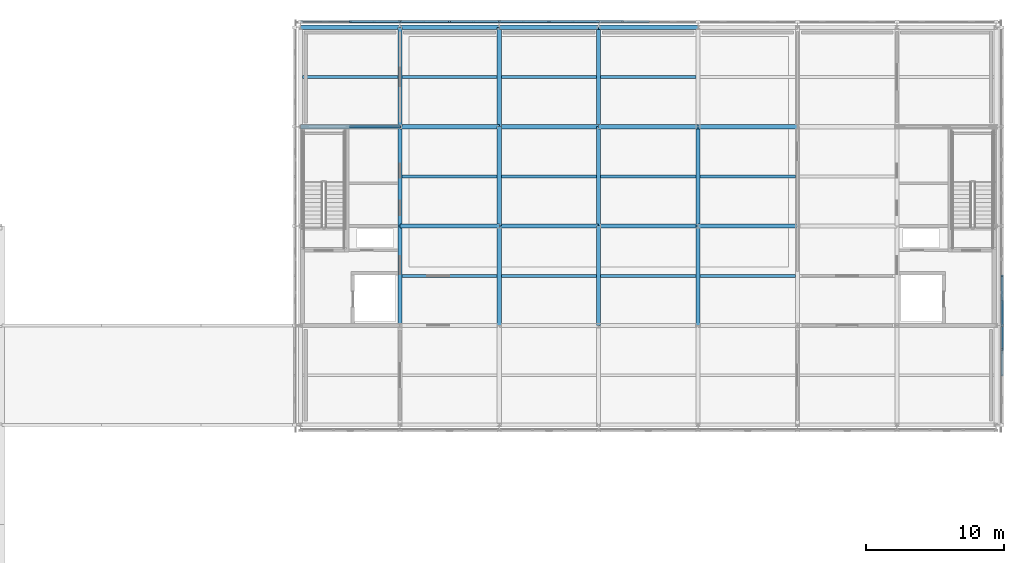
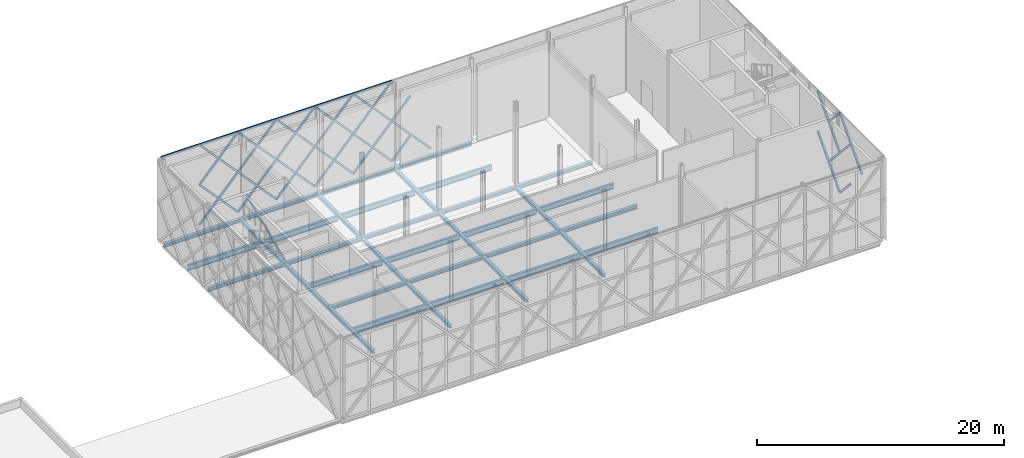
# One storey, part 46 of 76: 44 members, 36 beams.
"""IFC4 building model written with IfcOpenShell, lengths in metres."""

from ifc_helpers import new_model, si_unit, direction, frame, origin, origin_2d, place, context, subcontext, project, spatial, hollow_rectangle, i_section, extrude, material, material_profile, profile_set, type_object, element, save


model = new_model("IFC4")

# Units and contexts
model_context = context("Model", 3, precision=1e-05, world=origin(), true_north=direction((0.0, 1.0)))
body_context = subcontext(model_context, "Body", "Model", "MODEL_VIEW")
ifc_project = project(units=[si_unit("LENGTHUNIT", "METRE"), si_unit("AREAUNIT", "SQUARE_METRE"), si_unit("VOLUMEUNIT", "CUBIC_METRE"), si_unit("PLANEANGLEUNIT", "RADIAN"), si_unit("MASSUNIT", "GRAM", prefix="KILO")], contexts=[model_context])

# Site, building, storey
site_placement = place(None, origin())
site = spatial("IfcSite", under=ifc_project, at=site_placement, CompositionType="ELEMENT")
building_placement = place(site_placement, origin())
building = spatial("IfcBuilding", under=site, at=building_placement, Name="Zlatovets Crest Museum", CompositionType="ELEMENT")
storey_placement = place(building_placement, frame((0.0, 0.0, 17.10009765625)))
storey = spatial("IfcBuildingStorey", under=building, at=storey_placement, Name="L04", CompositionType="ELEMENT", Elevation=17.10009765625)

# Beams
ifc_material_1 = material(Name="Structural steel S355J2", Category="steel")
ifc_material_profile_1 = material_profile(ifc_material_1, i_section(OverallWidth=0.300048828125, OverallDepth=0.35009765625, WebThickness=0.010009765625, FlangeThickness=0.017578125, FilletRadius=0.027099609375, at=origin_2d()), Name="HEA 360")
ifc_profile_set_1 = profile_set([ifc_material_profile_1], Name="Structural steel S355J2")
beam_type_1 = type_object("IfcBeamType", Name="Beam_B-03", PredefinedType="BEAM", material=ifc_profile_set_1)
for number, where, z_axis, x_axis, name in (
    (1, (64.800048828125, 100.800048828125, -0.4150390625), (1.0, 0.0, 0.0), (0.0, 1.0, 0.0), "V1 L04 Primary Girder B-03"),
    (2, (72.0, 100.800048828125, -0.4150390625), (1.0, 0.0, 0.0), (0.0, 1.0, 0.0), "V1 L04 Primary Girder B-03"),
    (3, (79.199951171875, 100.800048828125, -0.4150390625), (1.0, 0.0, 0.0), (0.0, 1.0, 0.0), "V1 L04 Primary Girder B-03"),
):
    element("IfcBeam", number, at=place(storey_placement, frame(where, z_axis=z_axis, x_axis=x_axis)), inside=storey, type_object=beam_type_1, Name=name, PredefinedType="BEAM", context=body_context, shape_type="SweptSolid", body=[
        extrude(i_section(OverallWidth=0.300048828125, OverallDepth=0.35009765625, WebThickness=0.010009765625, FlangeThickness=0.017578125, FilletRadius=0.027099609375, at=origin_2d()), origin(), (0.0, 0.0, 1.0), 7.199951171875),
    ])
beam_1_placement = place(storey_placement, frame((86.39990234375, 100.800048828125, -0.4150390625), z_axis=(1.0, 0.0, 0.0), x_axis=(0.0, 1.0, 0.0)))
element("IfcBeam", 4, at=beam_1_placement, inside=storey, type_object=beam_type_1, Name="V1 L04 Primary Girder B-03", PredefinedType="BEAM", context=body_context, shape_type="SweptSolid", body=[
    extrude(i_section(OverallWidth=0.300048828125, OverallDepth=0.35009765625, WebThickness=0.010009765625, FlangeThickness=0.017578125, FilletRadius=0.027099609375, at=origin_2d()), origin(), (0.0, 0.0, 1.0), 7.2001953125),
])
for number, where, z_axis, x_axis, name in (
    (5, (57.60009765625, 108.0, -0.4150390625), (1.0, 0.0, 0.0), (0.0, 1.0, 0.0), "V1 L04 Primary Girder B-03"),
    (6, (64.800048828125, 108.0, -0.4150390625), (1.0, 0.0, 0.0), (0.0, 1.0, 0.0), "V1 L04 Primary Girder B-03"),
    (7, (72.0, 108.0, -0.4150390625), (1.0, 0.0, 0.0), (0.0, 1.0, 0.0), "V1 L04 Primary Girder B-03"),
    (8, (79.199951171875, 108.0, -0.4150390625), (1.0, 0.0, 0.0), (0.0, 1.0, 0.0), "V1 L04 Primary Girder B-03"),
):
    element("IfcBeam", number, at=place(storey_placement, frame(where, z_axis=z_axis, x_axis=x_axis)), inside=storey, type_object=beam_type_1, Name=name, PredefinedType="BEAM", context=body_context, shape_type="SweptSolid", body=[
        extrude(i_section(OverallWidth=0.300048828125, OverallDepth=0.35009765625, WebThickness=0.010009765625, FlangeThickness=0.017578125, FilletRadius=0.027099609375, at=origin_2d()), origin(), (0.0, 0.0, 1.0), 7.199951171875),
    ])
beam_2_placement = place(storey_placement, frame((86.39990234375, 108.0, -0.4150390625), z_axis=(1.0, 0.0, 0.0), x_axis=(0.0, 1.0, 0.0)))
element("IfcBeam", 9, at=beam_2_placement, inside=storey, type_object=beam_type_1, Name="V1 L04 Primary Girder B-03", PredefinedType="BEAM", context=body_context, shape_type="SweptSolid", body=[
    extrude(i_section(OverallWidth=0.300048828125, OverallDepth=0.35009765625, WebThickness=0.010009765625, FlangeThickness=0.017578125, FilletRadius=0.027099609375, at=origin_2d()), origin(), (0.0, 0.0, 1.0), 7.2001953125),
])
for number, where, z_axis, x_axis, name in (
    (10, (57.60009765625, 115.199951171875, -0.4150390625), (1.0, 0.0, 0.0), (0.0, 1.0, 0.0), "V1 L04 Primary Girder B-03"),
    (11, (64.800048828125, 115.199951171875, -0.4150390625), (1.0, 0.0, 0.0), (0.0, 1.0, 0.0), "V1 L04 Primary Girder B-03"),
    (12, (72.0, 115.199951171875, -0.4150390625), (1.0, 0.0, 0.0), (0.0, 1.0, 0.0), "V1 L04 Primary Girder B-03"),
    (13, (79.199951171875, 115.199951171875, -0.4150390625), (1.0, 0.0, 0.0), (0.0, 1.0, 0.0), "V1 L04 Primary Girder B-03"),
):
    element("IfcBeam", number, at=place(storey_placement, frame(where, z_axis=z_axis, x_axis=x_axis)), inside=storey, type_object=beam_type_1, Name=name, PredefinedType="BEAM", context=body_context, shape_type="SweptSolid", body=[
        extrude(i_section(OverallWidth=0.300048828125, OverallDepth=0.35009765625, WebThickness=0.010009765625, FlangeThickness=0.017578125, FilletRadius=0.027099609375, at=origin_2d()), origin(), (0.0, 0.0, 1.0), 7.199951171875),
    ])
ifc_material_profile_2 = material_profile(ifc_material_1, i_section(OverallWidth=0.300048828125, OverallDepth=0.31005859375, WebThickness=0.009033203125, FlangeThickness=0.015380859375, FilletRadius=0.027099609375, at=origin_2d()), Name="HEA 320")
ifc_profile_set_2 = profile_set([ifc_material_profile_2], Name="Structural steel S355J2")
beam_type_2 = type_object("IfcBeamType", Name="Beam_B-04", PredefinedType="BEAM", material=ifc_profile_set_2)
for number, where, z_axis, x_axis, name in (
    (14, (64.800048828125, 93.60009765625, -0.39501953125), (0.0, 1.0, 0.0), (-1.0, 0.0, 0.0), "V1 L04 Grid Beam B-04"),
    (15, (64.800048828125, 100.800048828125, -0.39501953125), (0.0, 1.0, 0.0), (-1.0, 0.0, 0.0), "V1 L04 Grid Beam B-04"),
    (16, (64.800048828125, 108.0, -0.39501953125), (0.0, 1.0, 0.0), (-1.0, 0.0, 0.0), "V1 L04 Grid Beam B-04"),
    (17, (72.0, 93.60009765625, -0.39501953125), (0.0, 1.0, 0.0), (-1.0, 0.0, 0.0), "V1 L04 Grid Beam B-04"),
    (18, (72.0, 100.800048828125, -0.39501953125), (0.0, 1.0, 0.0), (-1.0, 0.0, 0.0), "V1 L04 Grid Beam B-04"),
    (19, (72.0, 108.0, -0.39501953125), (0.0, 1.0, 0.0), (-1.0, 0.0, 0.0), "V1 L04 Grid Beam B-04"),
    (20, (79.199951171875, 93.60009765625, -0.39501953125), (0.0, 1.0, 0.0), (-1.0, 0.0, 0.0), "V1 L04 Grid Beam B-04"),
    (21, (79.199951171875, 100.800048828125, -0.39501953125), (0.0, 1.0, 0.0), (-1.0, 0.0, 0.0), "V1 L04 Grid Beam B-04"),
    (22, (79.199951171875, 108.0, -0.39501953125), (0.0, 1.0, 0.0), (-1.0, 0.0, 0.0), "V1 L04 Grid Beam B-04"),
    (23, (86.39990234375, 93.60009765625, -0.39501953125), (0.0, 1.0, 0.0), (-1.0, 0.0, 0.0), "V1 L04 Grid Beam B-04"),
    (24, (86.39990234375, 100.800048828125, -0.39501953125), (0.0, 1.0, 0.0), (-1.0, 0.0, 0.0), "V1 L04 Grid Beam B-04"),
):
    element("IfcBeam", number, at=place(storey_placement, frame(where, z_axis=z_axis, x_axis=x_axis)), inside=storey, type_object=beam_type_2, Name=name, PredefinedType="BEAM", context=body_context, shape_type="SweptSolid", body=[
        extrude(i_section(OverallWidth=0.300048828125, OverallDepth=0.31005859375, WebThickness=0.009033203125, FlangeThickness=0.015380859375, FilletRadius=0.027099609375, at=origin_2d()), origin(), (0.0, 0.0, 1.0), 7.199951171875),
    ])
ifc_material_profile_3 = material_profile(ifc_material_1, i_section(OverallWidth=0.2099609375, OverallDepth=0.550048828125, WebThickness=0.010986328125, FlangeThickness=0.01708984375, FilletRadius=0.02392578125, at=origin_2d()), Name="IPE 550")
ifc_profile_set_3 = profile_set([ifc_material_profile_3], Name="Structural steel S355J2")
beam_type_3 = type_object("IfcBeamType", Name="Beam_J-07", PredefinedType="JOIST", material=ifc_profile_set_3)
beam_3_placement = place(storey_placement, frame((57.75, 111.60009765625, -0.51513671875), z_axis=(1.0, 0.0, 0.0), x_axis=(0.0, 1.0, 0.0)))
element("IfcBeam", 25, at=beam_3_placement, inside=storey, type_object=beam_type_3, Name="V1 L04 Composite Joist J-07", PredefinedType="JOIST", context=body_context, shape_type="SweptSolid", body=[
    extrude(i_section(OverallWidth=0.2099609375, OverallDepth=0.550048828125, WebThickness=0.010986328125, FlangeThickness=0.01708984375, FilletRadius=0.02392578125, at=origin_2d()), origin(), (0.0, 0.0, 1.0), 6.89990234375),
])
for number, where, z_axis, x_axis, name in (
    (26, (64.949951171875, 97.199951171875, -0.51513671875), (1.0, 0.0, 0.0), (0.0, 1.0, 0.0), "V1 L04 Composite Joist J-07"),
    (27, (64.949951171875, 104.39990234375, -0.51513671875), (1.0, 0.0, 0.0), (0.0, 1.0, 0.0), "V1 L04 Composite Joist J-07"),
    (28, (64.949951171875, 111.60009765625, -0.51513671875), (1.0, 0.0, 0.0), (0.0, 1.0, 0.0), "V1 L04 Composite Joist J-07"),
    (29, (72.14990234375, 97.199951171875, -0.51513671875), (1.0, 0.0, 0.0), (0.0, 1.0, 0.0), "V1 L04 Composite Joist J-07"),
    (30, (72.14990234375, 104.39990234375, -0.51513671875), (1.0, 0.0, 0.0), (0.0, 1.0, 0.0), "V1 L04 Composite Joist J-07"),
    (31, (72.14990234375, 111.60009765625, -0.51513671875), (1.0, 0.0, 0.0), (0.0, 1.0, 0.0), "V1 L04 Composite Joist J-07"),
):
    element("IfcBeam", number, at=place(storey_placement, frame(where, z_axis=z_axis, x_axis=x_axis)), inside=storey, type_object=beam_type_3, Name=name, PredefinedType="JOIST", context=body_context, shape_type="SweptSolid", body=[
        extrude(i_section(OverallWidth=0.2099609375, OverallDepth=0.550048828125, WebThickness=0.010986328125, FlangeThickness=0.01708984375, FilletRadius=0.02392578125, at=origin_2d()), origin(), (0.0, 0.0, 1.0), 6.900146484375),
    ])
for number, where, z_axis, x_axis, name in (
    (32, (79.35009765625, 97.199951171875, -0.51513671875), (1.0, 0.0, 0.0), (0.0, 1.0, 0.0), "V1 L04 Composite Joist J-07"),
    (33, (79.35009765625, 104.39990234375, -0.51513671875), (1.0, 0.0, 0.0), (0.0, 1.0, 0.0), "V1 L04 Composite Joist J-07"),
    (34, (79.35009765625, 111.60009765625, -0.51513671875), (1.0, 0.0, 0.0), (0.0, 1.0, 0.0), "V1 L04 Composite Joist J-07"),
    (35, (86.550048828125, 97.199951171875, -0.51513671875), (1.0, 0.0, 0.0), (0.0, 1.0, 0.0), "V1 L04 Composite Joist J-07"),
    (36, (86.550048828125, 104.39990234375, -0.51513671875), (1.0, 0.0, 0.0), (0.0, 1.0, 0.0), "V1 L04 Composite Joist J-07"),
):
    element("IfcBeam", number, at=place(storey_placement, frame(where, z_axis=z_axis, x_axis=x_axis)), inside=storey, type_object=beam_type_3, Name=name, PredefinedType="JOIST", context=body_context, shape_type="SweptSolid", body=[
        extrude(i_section(OverallWidth=0.2099609375, OverallDepth=0.550048828125, WebThickness=0.010986328125, FlangeThickness=0.01708984375, FilletRadius=0.02392578125, at=origin_2d()), origin(), (0.0, 0.0, 1.0), 6.89990234375),
    ])

# Members
ifc_material_2 = material(Name="Weathering bronze-steel S355J2W", Category="steel")
ifc_material_profile_4 = material_profile(ifc_material_2, hollow_rectangle(XDim=0.179931640625, YDim=0.179931640625, WallThickness=0.010009765625, InnerFilletRadius=0.010009765625, OuterFilletRadius=0.02001953125, at=origin_2d()), Name="SHS 180x180x10.0")
ifc_profile_set_4 = profile_set([ifc_material_profile_4], Name="Weathering bronze-steel S355J2W")
member_type_1 = type_object("IfcMemberType", Name="Lattice_XL-01", PredefinedType="BRACE", material=ifc_profile_set_4)
member_1_placement = place(storey_placement, frame((108.419921875, 91.864013671875, 2.004638671875), z_axis=(0.0, 0.673619963761, -0.739077901457), x_axis=(-1.0, 0.0, 0.0)))
element("IfcMember", 37, at=member_1_placement, inside=storey, type_object=member_type_1, Name="Split Crossing Bronze Lattice Diagonal Lower", PredefinedType="BRACE", context=body_context, shape_type="SweptSolid", body=[
    extrude(hollow_rectangle(XDim=0.179931640625, YDim=0.179931640625, WallThickness=0.010009765625, InnerFilletRadius=0.010009765625, OuterFilletRadius=0.02001953125, at=origin_2d()), origin(), (0.0, 0.0, 1.0), 2.5771484375),
])
member_2_placement = place(storey_placement, frame((108.419921875, 90.0, 4.0498046875), z_axis=(0.0, 0.673595375981, 0.739100310822), x_axis=(-1.0, 0.0, 0.0)))
element("IfcMember", 38, at=member_2_placement, inside=storey, type_object=member_type_1, Name="Continuous Bronze Lattice Diagonal", PredefinedType="BRACE", context=body_context, shape_type="SweptSolid", body=[
    extrude(hollow_rectangle(XDim=0.179931640625, YDim=0.179931640625, WallThickness=0.010009765625, InnerFilletRadius=0.010009765625, OuterFilletRadius=0.02001953125, at=origin_2d()), origin(), (0.0, 0.0, 1.0), 5.344482421875),
])
member_3_placement = place(storey_placement, frame((108.419921875, 91.864013671875, 5.95458984375), z_axis=(0.0, 0.673619963761, -0.739077901457), x_axis=(-1.0, 0.0, 0.0)))
element("IfcMember", 39, at=member_3_placement, inside=storey, type_object=member_type_1, Name="Split Crossing Bronze Lattice Diagonal Lower", PredefinedType="BRACE", context=body_context, shape_type="SweptSolid", body=[
    extrude(hollow_rectangle(XDim=0.179931640625, YDim=0.179931640625, WallThickness=0.010009765625, InnerFilletRadius=0.010009765625, OuterFilletRadius=0.02001953125, at=origin_2d()), origin(), (0.0, 0.0, 1.0), 2.5771484375),
])
member_4_placement = place(storey_placement, frame((108.419921875, 93.60009765625, 0.099853515625), z_axis=(0.0, 0.673593164257, 0.739102326519), x_axis=(-1.0, 0.0, 0.0)))
element("IfcMember", 40, at=member_4_placement, inside=storey, type_object=member_type_1, Name="Continuous Bronze Lattice Diagonal", PredefinedType="BRACE", context=body_context, shape_type="SweptSolid", body=[
    extrude(hollow_rectangle(XDim=0.179931640625, YDim=0.179931640625, WallThickness=0.010009765625, InnerFilletRadius=0.010009765625, OuterFilletRadius=0.02001953125, at=origin_2d()), origin(), (0.0, 0.0, 1.0), 5.34423828125),
])
member_5_placement = place(storey_placement, frame((108.419921875, 93.60009765625, 4.0498046875), z_axis=(0.0, 0.673568214247, -0.739125064354), x_axis=(-1.0, 0.0, 0.0)))
element("IfcMember", 41, at=member_5_placement, inside=storey, type_object=member_type_1, Name="Split Crossing Bronze Lattice Diagonal Upper", PredefinedType="BRACE", context=body_context, shape_type="SweptSolid", body=[
    extrude(hollow_rectangle(XDim=0.179931640625, YDim=0.179931640625, WallThickness=0.010009765625, InnerFilletRadius=0.010009765625, OuterFilletRadius=0.02001953125, at=origin_2d()), origin(), (0.0, 0.0, 1.0), 2.5771484375),
])
member_6_placement = place(storey_placement, frame((108.419921875, 93.60009765625, 4.0498046875), z_axis=(0.0, 0.67357042132, 0.739123053032), x_axis=(-1.0, 0.0, 0.0)))
element("IfcMember", 42, at=member_6_placement, inside=storey, type_object=member_type_1, Name="Continuous Bronze Lattice Diagonal", PredefinedType="BRACE", context=body_context, shape_type="SweptSolid", body=[
    extrude(hollow_rectangle(XDim=0.179931640625, YDim=0.179931640625, WallThickness=0.010009765625, InnerFilletRadius=0.010009765625, OuterFilletRadius=0.02001953125, at=origin_2d()), origin(), (0.0, 0.0, 1.0), 5.344482421875),
])
member_7_placement = place(storey_placement, frame((108.419921875, 93.60009765625, 8.0), z_axis=(0.0, 0.673568214247, -0.739125064354), x_axis=(-1.0, 0.0, 0.0)))
element("IfcMember", 43, at=member_7_placement, inside=storey, type_object=member_type_1, Name="Split Crossing Bronze Lattice Diagonal Upper", PredefinedType="BRACE", context=body_context, shape_type="SweptSolid", body=[
    extrude(hollow_rectangle(XDim=0.179931640625, YDim=0.179931640625, WallThickness=0.010009765625, InnerFilletRadius=0.010009765625, OuterFilletRadius=0.02001953125, at=origin_2d()), origin(), (0.0, 0.0, 1.0), 2.5771484375),
])
member_8_placement = place(storey_placement, frame((82.800048828125, 115.6201171875, 0.099853515625), z_axis=(-0.673618118362, 0.0, 0.739079583411), x_axis=(0.0, -1.0, 0.0)))
element("IfcMember", 44, at=member_8_placement, inside=storey, type_object=member_type_1, Name="Continuous Bronze Lattice Diagonal", PredefinedType="BRACE", context=body_context, shape_type="SweptSolid", body=[
    extrude(hollow_rectangle(XDim=0.179931640625, YDim=0.179931640625, WallThickness=0.010009765625, InnerFilletRadius=0.010009765625, OuterFilletRadius=0.02001953125, at=origin_2d()), origin(), (0.0, 0.0, 1.0), 5.344482421875),
])
for number, where, z_axis, x_axis, name in (
    (45, (80.93603515625, 115.6201171875, 2.004638671875), (-0.673619963761, 0.0, -0.739077901457), (0.0, -1.0, 0.0), "Split Crossing Bronze Lattice Diagonal Lower"),
    (46, (80.93603515625, 115.6201171875, 5.95458984375), (-0.673619963761, 0.0, -0.739077901457), (0.0, -1.0, 0.0), "Split Crossing Bronze Lattice Diagonal Lower"),
):
    element("IfcMember", number, at=place(storey_placement, frame(where, z_axis=z_axis, x_axis=x_axis)), inside=storey, type_object=member_type_1, Name=name, PredefinedType="BRACE", context=body_context, shape_type="SweptSolid", body=[
        extrude(hollow_rectangle(XDim=0.179931640625, YDim=0.179931640625, WallThickness=0.010009765625, InnerFilletRadius=0.010009765625, OuterFilletRadius=0.02001953125, at=origin_2d()), origin(), (0.0, 0.0, 1.0), 2.5771484375),
    ])
member_9_placement = place(storey_placement, frame((79.199951171875, 115.6201171875, 0.099853515625), z_axis=(-0.673593164257, 0.0, 0.739102326519), x_axis=(0.0, -1.0, 0.0)))
element("IfcMember", 47, at=member_9_placement, inside=storey, type_object=member_type_1, Name="Continuous Bronze Lattice Diagonal", PredefinedType="BRACE", context=body_context, shape_type="SweptSolid", body=[
    extrude(hollow_rectangle(XDim=0.179931640625, YDim=0.179931640625, WallThickness=0.010009765625, InnerFilletRadius=0.010009765625, OuterFilletRadius=0.02001953125, at=origin_2d()), origin(), (0.0, 0.0, 1.0), 5.34423828125),
])
for number, where, z_axis, x_axis, name in (
    (48, (79.199951171875, 115.6201171875, 4.0498046875), (-0.673568214247, 0.0, -0.739125064354), (0.0, -1.0, 0.0), "Split Crossing Bronze Lattice Diagonal Upper"),
    (49, (77.3359375, 115.6201171875, 2.004638671875), (-0.673568214247, 0.0, -0.739125064354), (0.0, -1.0, 0.0), "Split Crossing Bronze Lattice Diagonal Lower"),
):
    element("IfcMember", number, at=place(storey_placement, frame(where, z_axis=z_axis, x_axis=x_axis)), inside=storey, type_object=member_type_1, Name=name, PredefinedType="BRACE", context=body_context, shape_type="SweptSolid", body=[
        extrude(hollow_rectangle(XDim=0.179931640625, YDim=0.179931640625, WallThickness=0.010009765625, InnerFilletRadius=0.010009765625, OuterFilletRadius=0.02001953125, at=origin_2d()), origin(), (0.0, 0.0, 1.0), 2.5771484375),
    ])
member_10_placement = place(storey_placement, frame((75.60009765625, 115.6201171875, 0.099853515625), z_axis=(-0.673618118362, 0.0, 0.739079583411), x_axis=(0.0, -1.0, 0.0)))
element("IfcMember", 50, at=member_10_placement, inside=storey, type_object=member_type_1, Name="Continuous Bronze Lattice Diagonal", PredefinedType="BRACE", context=body_context, shape_type="SweptSolid", body=[
    extrude(hollow_rectangle(XDim=0.179931640625, YDim=0.179931640625, WallThickness=0.010009765625, InnerFilletRadius=0.010009765625, OuterFilletRadius=0.02001953125, at=origin_2d()), origin(), (0.0, 0.0, 1.0), 5.344482421875),
])
for number, where, z_axis, x_axis, name in (
    (51, (75.60009765625, 115.6201171875, 4.0498046875), (-0.673619963761, 0.0, -0.739077901457), (0.0, -1.0, 0.0), "Split Crossing Bronze Lattice Diagonal Upper"),
    (52, (73.736083984375, 115.6201171875, 2.004638671875), (-0.673619963761, 0.0, -0.739077901457), (0.0, -1.0, 0.0), "Split Crossing Bronze Lattice Diagonal Lower"),
):
    element("IfcMember", number, at=place(storey_placement, frame(where, z_axis=z_axis, x_axis=x_axis)), inside=storey, type_object=member_type_1, Name=name, PredefinedType="BRACE", context=body_context, shape_type="SweptSolid", body=[
        extrude(hollow_rectangle(XDim=0.179931640625, YDim=0.179931640625, WallThickness=0.010009765625, InnerFilletRadius=0.010009765625, OuterFilletRadius=0.02001953125, at=origin_2d()), origin(), (0.0, 0.0, 1.0), 2.5771484375),
    ])
member_11_placement = place(storey_placement, frame((79.199951171875, 115.6201171875, 4.0498046875), z_axis=(-0.67357042132, 0.0, 0.739123053032), x_axis=(0.0, -1.0, 0.0)))
element("IfcMember", 53, at=member_11_placement, inside=storey, type_object=member_type_1, Name="Continuous Bronze Lattice Diagonal", PredefinedType="BRACE", context=body_context, shape_type="SweptSolid", body=[
    extrude(hollow_rectangle(XDim=0.179931640625, YDim=0.179931640625, WallThickness=0.010009765625, InnerFilletRadius=0.010009765625, OuterFilletRadius=0.02001953125, at=origin_2d()), origin(), (0.0, 0.0, 1.0), 5.344482421875),
])
for number, where, z_axis, x_axis, name in (
    (54, (79.199951171875, 115.6201171875, 8.0), (-0.673568214247, 0.0, -0.739125064354), (0.0, -1.0, 0.0), "Split Crossing Bronze Lattice Diagonal Upper"),
    (55, (77.3359375, 115.6201171875, 5.95458984375), (-0.673568214247, 0.0, -0.739125064354), (0.0, -1.0, 0.0), "Split Crossing Bronze Lattice Diagonal Lower"),
):
    element("IfcMember", number, at=place(storey_placement, frame(where, z_axis=z_axis, x_axis=x_axis)), inside=storey, type_object=member_type_1, Name=name, PredefinedType="BRACE", context=body_context, shape_type="SweptSolid", body=[
        extrude(hollow_rectangle(XDim=0.179931640625, YDim=0.179931640625, WallThickness=0.010009765625, InnerFilletRadius=0.010009765625, OuterFilletRadius=0.02001953125, at=origin_2d()), origin(), (0.0, 0.0, 1.0), 2.5771484375),
    ])
member_12_placement = place(storey_placement, frame((75.60009765625, 115.6201171875, 4.0498046875), z_axis=(-0.673595375981, 0.0, 0.739100310822), x_axis=(0.0, -1.0, 0.0)))
element("IfcMember", 56, at=member_12_placement, inside=storey, type_object=member_type_1, Name="Continuous Bronze Lattice Diagonal", PredefinedType="BRACE", context=body_context, shape_type="SweptSolid", body=[
    extrude(hollow_rectangle(XDim=0.179931640625, YDim=0.179931640625, WallThickness=0.010009765625, InnerFilletRadius=0.010009765625, OuterFilletRadius=0.02001953125, at=origin_2d()), origin(), (0.0, 0.0, 1.0), 5.344482421875),
])
for number, where, z_axis, x_axis, name in (
    (57, (75.60009765625, 115.6201171875, 8.0), (-0.673619963761, 0.0, -0.739077901457), (0.0, -1.0, 0.0), "Split Crossing Bronze Lattice Diagonal Upper"),
    (58, (73.736083984375, 115.6201171875, 5.95458984375), (-0.673619963761, 0.0, -0.739077901457), (0.0, -1.0, 0.0), "Split Crossing Bronze Lattice Diagonal Lower"),
):
    element("IfcMember", number, at=place(storey_placement, frame(where, z_axis=z_axis, x_axis=x_axis)), inside=storey, type_object=member_type_1, Name=name, PredefinedType="BRACE", context=body_context, shape_type="SweptSolid", body=[
        extrude(hollow_rectangle(XDim=0.179931640625, YDim=0.179931640625, WallThickness=0.010009765625, InnerFilletRadius=0.010009765625, OuterFilletRadius=0.02001953125, at=origin_2d()), origin(), (0.0, 0.0, 1.0), 2.5771484375),
    ])
member_13_placement = place(storey_placement, frame((72.0, 115.6201171875, 0.099853515625), z_axis=(-0.673618118362, 0.0, 0.739079583411), x_axis=(0.0, -1.0, 0.0)))
element("IfcMember", 59, at=member_13_placement, inside=storey, type_object=member_type_1, Name="Continuous Bronze Lattice Diagonal", PredefinedType="BRACE", context=body_context, shape_type="SweptSolid", body=[
    extrude(hollow_rectangle(XDim=0.179931640625, YDim=0.179931640625, WallThickness=0.010009765625, InnerFilletRadius=0.010009765625, OuterFilletRadius=0.02001953125, at=origin_2d()), origin(), (0.0, 0.0, 1.0), 5.344482421875),
])
for number, where, z_axis, x_axis, name in (
    (60, (72.0, 115.6201171875, 4.0498046875), (-0.673619963761, 0.0, -0.739077901457), (0.0, -1.0, 0.0), "Split Crossing Bronze Lattice Diagonal Upper"),
    (61, (70.135986328125, 115.6201171875, 2.004638671875), (-0.673619963761, 0.0, -0.739077901457), (0.0, -1.0, 0.0), "Split Crossing Bronze Lattice Diagonal Lower"),
):
    element("IfcMember", number, at=place(storey_placement, frame(where, z_axis=z_axis, x_axis=x_axis)), inside=storey, type_object=member_type_1, Name=name, PredefinedType="BRACE", context=body_context, shape_type="SweptSolid", body=[
        extrude(hollow_rectangle(XDim=0.179931640625, YDim=0.179931640625, WallThickness=0.010009765625, InnerFilletRadius=0.010009765625, OuterFilletRadius=0.02001953125, at=origin_2d()), origin(), (0.0, 0.0, 1.0), 2.5771484375),
    ])
member_14_placement = place(storey_placement, frame((68.39990234375, 115.6201171875, 0.099853515625), z_axis=(-0.673593164257, 0.0, 0.739102326519), x_axis=(0.0, -1.0, 0.0)))
element("IfcMember", 62, at=member_14_placement, inside=storey, type_object=member_type_1, Name="Continuous Bronze Lattice Diagonal", PredefinedType="BRACE", context=body_context, shape_type="SweptSolid", body=[
    extrude(hollow_rectangle(XDim=0.179931640625, YDim=0.179931640625, WallThickness=0.010009765625, InnerFilletRadius=0.010009765625, OuterFilletRadius=0.02001953125, at=origin_2d()), origin(), (0.0, 0.0, 1.0), 5.34423828125),
])
for number, where, z_axis, x_axis, name in (
    (63, (68.39990234375, 115.6201171875, 4.0498046875), (-0.673568214247, 0.0, -0.739125064354), (0.0, -1.0, 0.0), "Split Crossing Bronze Lattice Diagonal Upper"),
    (64, (66.535888671875, 115.6201171875, 2.004638671875), (-0.673568214247, 0.0, -0.739125064354), (0.0, -1.0, 0.0), "Split Crossing Bronze Lattice Diagonal Lower"),
):
    element("IfcMember", number, at=place(storey_placement, frame(where, z_axis=z_axis, x_axis=x_axis)), inside=storey, type_object=member_type_1, Name=name, PredefinedType="BRACE", context=body_context, shape_type="SweptSolid", body=[
        extrude(hollow_rectangle(XDim=0.179931640625, YDim=0.179931640625, WallThickness=0.010009765625, InnerFilletRadius=0.010009765625, OuterFilletRadius=0.02001953125, at=origin_2d()), origin(), (0.0, 0.0, 1.0), 2.5771484375),
    ])
member_15_placement = place(storey_placement, frame((72.0, 115.6201171875, 4.0498046875), z_axis=(-0.673595375981, 0.0, 0.739100310822), x_axis=(0.0, -1.0, 0.0)))
element("IfcMember", 65, at=member_15_placement, inside=storey, type_object=member_type_1, Name="Continuous Bronze Lattice Diagonal", PredefinedType="BRACE", context=body_context, shape_type="SweptSolid", body=[
    extrude(hollow_rectangle(XDim=0.179931640625, YDim=0.179931640625, WallThickness=0.010009765625, InnerFilletRadius=0.010009765625, OuterFilletRadius=0.02001953125, at=origin_2d()), origin(), (0.0, 0.0, 1.0), 5.344482421875),
])
for number, where, z_axis, x_axis, name in (
    (66, (72.0, 115.6201171875, 8.0), (-0.673619963761, 0.0, -0.739077901457), (0.0, -1.0, 0.0), "Split Crossing Bronze Lattice Diagonal Upper"),
    (67, (70.135986328125, 115.6201171875, 5.95458984375), (-0.673619963761, 0.0, -0.739077901457), (0.0, -1.0, 0.0), "Split Crossing Bronze Lattice Diagonal Lower"),
):
    element("IfcMember", number, at=place(storey_placement, frame(where, z_axis=z_axis, x_axis=x_axis)), inside=storey, type_object=member_type_1, Name=name, PredefinedType="BRACE", context=body_context, shape_type="SweptSolid", body=[
        extrude(hollow_rectangle(XDim=0.179931640625, YDim=0.179931640625, WallThickness=0.010009765625, InnerFilletRadius=0.010009765625, OuterFilletRadius=0.02001953125, at=origin_2d()), origin(), (0.0, 0.0, 1.0), 2.5771484375),
    ])
member_16_placement = place(storey_placement, frame((68.39990234375, 115.6201171875, 4.0498046875), z_axis=(-0.67357042132, 0.0, 0.739123053032), x_axis=(0.0, -1.0, 0.0)))
element("IfcMember", 68, at=member_16_placement, inside=storey, type_object=member_type_1, Name="Continuous Bronze Lattice Diagonal", PredefinedType="BRACE", context=body_context, shape_type="SweptSolid", body=[
    extrude(hollow_rectangle(XDim=0.179931640625, YDim=0.179931640625, WallThickness=0.010009765625, InnerFilletRadius=0.010009765625, OuterFilletRadius=0.02001953125, at=origin_2d()), origin(), (0.0, 0.0, 1.0), 5.344482421875),
])
for number, where, z_axis, x_axis, name in (
    (69, (68.39990234375, 115.6201171875, 8.0), (-0.673568214247, 0.0, -0.739125064354), (0.0, -1.0, 0.0), "Split Crossing Bronze Lattice Diagonal Upper"),
    (70, (66.535888671875, 115.6201171875, 5.95458984375), (-0.673568214247, 0.0, -0.739125064354), (0.0, -1.0, 0.0), "Split Crossing Bronze Lattice Diagonal Lower"),
):
    element("IfcMember", number, at=place(storey_placement, frame(where, z_axis=z_axis, x_axis=x_axis)), inside=storey, type_object=member_type_1, Name=name, PredefinedType="BRACE", context=body_context, shape_type="SweptSolid", body=[
        extrude(hollow_rectangle(XDim=0.179931640625, YDim=0.179931640625, WallThickness=0.010009765625, InnerFilletRadius=0.010009765625, OuterFilletRadius=0.02001953125, at=origin_2d()), origin(), (0.0, 0.0, 1.0), 2.5771484375),
    ])
member_17_placement = place(storey_placement, frame((64.800048828125, 115.6201171875, 0.099853515625), z_axis=(-0.673618118362, 0.0, 0.739079583411), x_axis=(0.0, -1.0, 0.0)))
element("IfcMember", 71, at=member_17_placement, inside=storey, type_object=member_type_1, Name="Continuous Bronze Lattice Diagonal", PredefinedType="BRACE", context=body_context, shape_type="SweptSolid", body=[
    extrude(hollow_rectangle(XDim=0.179931640625, YDim=0.179931640625, WallThickness=0.010009765625, InnerFilletRadius=0.010009765625, OuterFilletRadius=0.02001953125, at=origin_2d()), origin(), (0.0, 0.0, 1.0), 5.344482421875),
])
for number, where, z_axis, x_axis, name in (
    (72, (64.800048828125, 115.6201171875, 4.0498046875), (-0.673619963761, 0.0, -0.739077901457), (0.0, -1.0, 0.0), "Split Crossing Bronze Lattice Diagonal Upper"),
    (73, (62.93603515625, 115.6201171875, 2.004638671875), (-0.673619963761, 0.0, -0.739077901457), (0.0, -1.0, 0.0), "Split Crossing Bronze Lattice Diagonal Lower"),
):
    element("IfcMember", number, at=place(storey_placement, frame(where, z_axis=z_axis, x_axis=x_axis)), inside=storey, type_object=member_type_1, Name=name, PredefinedType="BRACE", context=body_context, shape_type="SweptSolid", body=[
        extrude(hollow_rectangle(XDim=0.179931640625, YDim=0.179931640625, WallThickness=0.010009765625, InnerFilletRadius=0.010009765625, OuterFilletRadius=0.02001953125, at=origin_2d()), origin(), (0.0, 0.0, 1.0), 2.5771484375),
    ])
member_18_placement = place(storey_placement, frame((64.800048828125, 115.6201171875, 4.0498046875), z_axis=(-0.673595375981, 0.0, 0.739100310822), x_axis=(0.0, -1.0, 0.0)))
element("IfcMember", 74, at=member_18_placement, inside=storey, type_object=member_type_1, Name="Continuous Bronze Lattice Diagonal", PredefinedType="BRACE", context=body_context, shape_type="SweptSolid", body=[
    extrude(hollow_rectangle(XDim=0.179931640625, YDim=0.179931640625, WallThickness=0.010009765625, InnerFilletRadius=0.010009765625, OuterFilletRadius=0.02001953125, at=origin_2d()), origin(), (0.0, 0.0, 1.0), 5.344482421875),
])
for number, where, z_axis, x_axis, name in (
    (75, (64.800048828125, 115.6201171875, 8.0), (-0.673619963761, 0.0, -0.739077901457), (0.0, -1.0, 0.0), "Split Crossing Bronze Lattice Diagonal Upper"),
    (76, (62.93603515625, 115.6201171875, 5.95458984375), (-0.673619963761, 0.0, -0.739077901457), (0.0, -1.0, 0.0), "Split Crossing Bronze Lattice Diagonal Lower"),
):
    element("IfcMember", number, at=place(storey_placement, frame(where, z_axis=z_axis, x_axis=x_axis)), inside=storey, type_object=member_type_1, Name=name, PredefinedType="BRACE", context=body_context, shape_type="SweptSolid", body=[
        extrude(hollow_rectangle(XDim=0.179931640625, YDim=0.179931640625, WallThickness=0.010009765625, InnerFilletRadius=0.010009765625, OuterFilletRadius=0.02001953125, at=origin_2d()), origin(), (0.0, 0.0, 1.0), 2.5771484375),
    ])
ifc_material_profile_5 = material_profile(ifc_material_2, hollow_rectangle(XDim=0.1201171875, YDim=0.239990234375, WallThickness=0.010009765625, InnerFilletRadius=0.010009765625, OuterFilletRadius=0.02001953125, at=origin_2d()), Name="RHS 120x240x10.0")
ifc_profile_set_5 = profile_set([ifc_material_profile_5], Name="Weathering bronze-steel S355J2W")
member_type_2 = type_object("IfcMemberType", Name="Lattice_XL-04", PredefinedType="CHORD", material=ifc_profile_set_5)
for number, where, z_axis, x_axis, name in (
    (77, (79.199951171875, 115.6201171875, 8.0), (-1.0, 0.0, 0.0), (0.0, -1.0, 0.0), "Art Nouveau Woven Cage Collector Ring Chord"),
    (78, (72.0, 115.6201171875, 8.0), (-1.0, 0.0, 0.0), (0.0, -1.0, 0.0), "Art Nouveau Woven Cage Collector Ring Chord"),
    (79, (64.800048828125, 115.6201171875, 8.0), (-1.0, 0.0, 0.0), (0.0, -1.0, 0.0), "Art Nouveau Woven Cage Collector Ring Chord"),
):
    element("IfcMember", number, at=place(storey_placement, frame(where, z_axis=z_axis, x_axis=x_axis)), inside=storey, type_object=member_type_2, Name=name, PredefinedType="CHORD", context=body_context, shape_type="SweptSolid", body=[
        extrude(hollow_rectangle(XDim=0.1201171875, YDim=0.239990234375, WallThickness=0.010009765625, InnerFilletRadius=0.010009765625, OuterFilletRadius=0.02001953125, at=origin_2d()), origin(), (0.0, 0.0, 1.0), 7.199951171875),
    ])
ifc_material_profile_6 = material_profile(ifc_material_1, hollow_rectangle(XDim=0.14990234375, YDim=0.14990234375, WallThickness=0.008056640625, InnerFilletRadius=0.008056640625, OuterFilletRadius=0.01611328125, at=origin_2d()), Name="SHS 150x150x8.0")
ifc_profile_set_6 = profile_set([ifc_material_profile_6], Name="Structural steel S355J2")
member_type_3 = type_object("IfcMemberType", Name="Member_BR-04", PredefinedType="BRACE", material=ifc_profile_set_6)
member_19_placement = place(storey_placement, frame((64.800048828125, 108.0, 0.0), z_axis=(-0.425810942746, 0.0, 0.904812157874), x_axis=(0.0, -1.0, 0.0)))
element("IfcMember", 80, at=member_19_placement, inside=storey, type_object=member_type_3, Name="V1 L04 Concentric Seismic Brace", PredefinedType="BRACE", context=body_context, shape_type="SweptSolid", body=[
    extrude(hollow_rectangle(XDim=0.14990234375, YDim=0.14990234375, WallThickness=0.008056640625, InnerFilletRadius=0.008056640625, OuterFilletRadius=0.01611328125, at=origin_2d()), origin(), (0.0, 0.0, 1.0), 8.45458984375),
])

save(model, "model.ifc")
